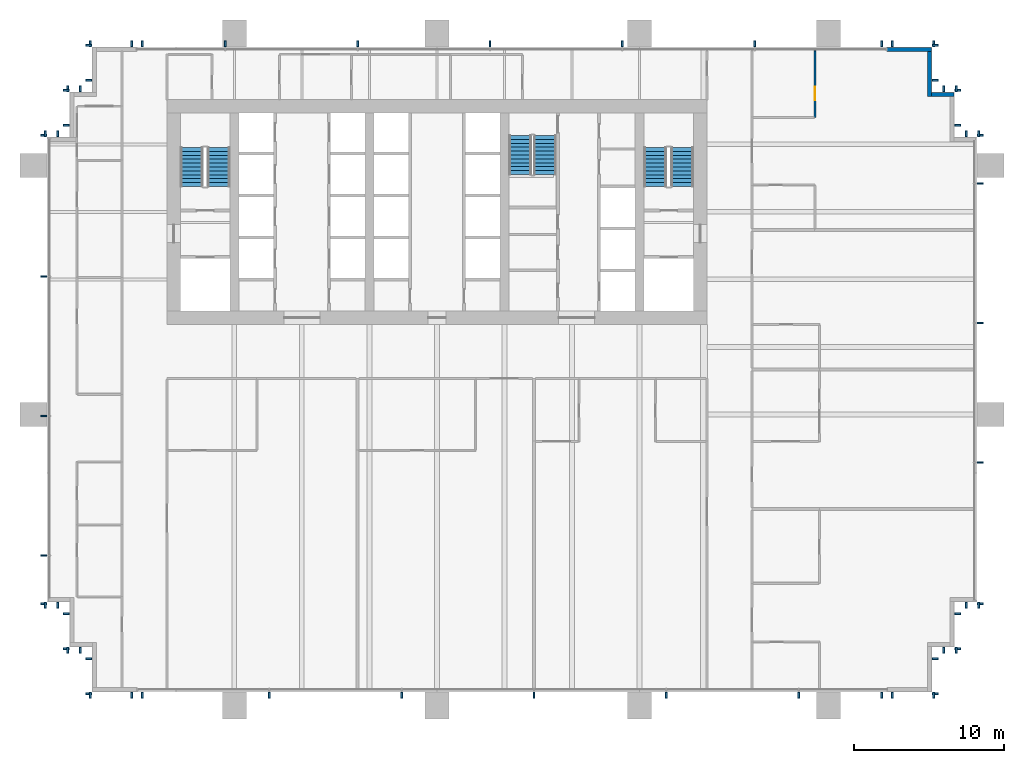
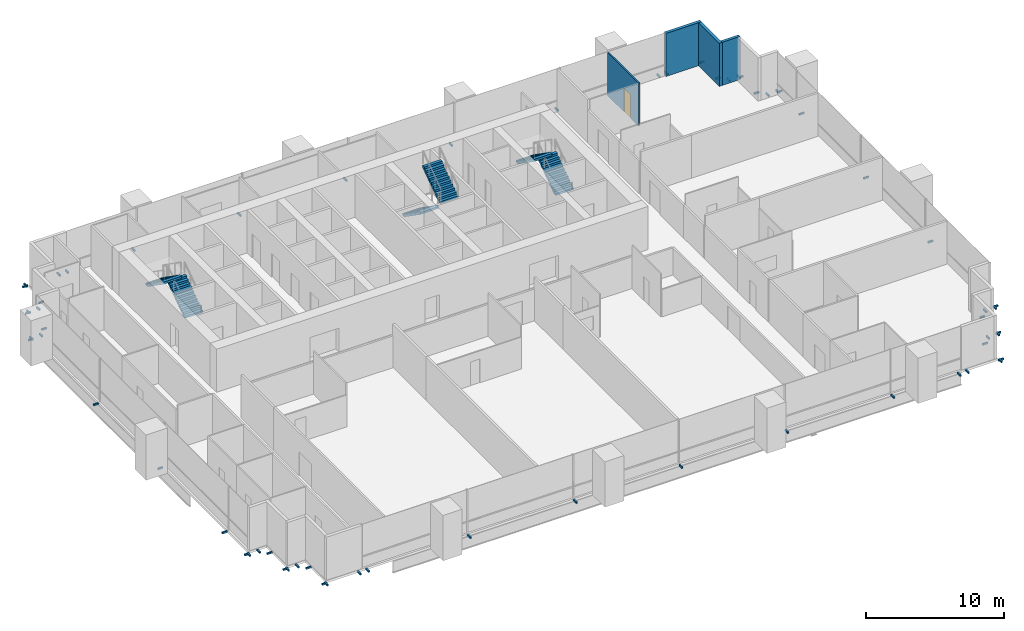
# One storey, part 16 of 17: 64 discrete accessories, 6 stair flights, 4 walls, 1 door, 1 opening, 3 elements without a shape of their own.
"""IFC4 building model written with IfcOpenShell, lengths in metres."""

from ifc_helpers import new_model, si_unit, direction, frame, frame_2d, origin, origin_2d, place, context, subcontext, project, spatial, polyline, rectangle, outline, extrude, material, layer, layer_set, type_object, element, fill, aggregate, save


model = new_model("IFC4")

# Units and contexts
model_context = context("Model", 3, precision=1e-05, world=origin(), true_north=direction((0.0, 1.0)))
body_context = subcontext(model_context, "Body", "Model", "MODEL_VIEW")
ifc_project = project(units=[si_unit("LENGTHUNIT", "METRE"), si_unit("AREAUNIT", "SQUARE_METRE"), si_unit("VOLUMEUNIT", "CUBIC_METRE"), si_unit("PLANEANGLEUNIT", "RADIAN"), si_unit("MASSUNIT", "GRAM", prefix="KILO")], contexts=[model_context])

# Site, building, storey
site_placement = place(None, origin())
site = spatial("IfcSite", under=ifc_project, at=site_placement, CompositionType="ELEMENT")
building_placement = place(site_placement, origin())
building = spatial("IfcBuilding", under=site, at=building_placement, Name="Rattan Terrace Tower", CompositionType="ELEMENT")
storey_placement = place(building_placement, frame((0.0, 0.0, 107.699951171875)))
storey = spatial("IfcBuildingStorey", under=building, at=storey_placement, Name="L24", CompositionType="ELEMENT", Elevation=107.699951171875)

# Walls
ifc_material_1 = material(Name="Insulated aluminium-clad stud wall", Category="aluminium")
ifc_layer_1 = layer(ifc_material_1, 0.25)
ifc_layer_set_1 = layer_set([ifc_layer_1], Name="Facade Riser Wall 250")
wall_type_1 = type_object("IfcWallType", Name="Facade Riser Wall 250", PredefinedType="SOLIDWALL", material=ifc_layer_set_1)
wall_1_placement = place(storey_placement, frame((34.455078125, 7.830078125, 0.0), z_axis=(0.0, 0.0, 1.0), x_axis=(-1.0, 0.0, 0.0)))
element("IfcWall", 1, at=wall_1_placement, inside=storey, type_object=wall_type_1, Name="Riser wall L24-8", PredefinedType="SOLIDWALL", context=body_context, shape_type="SweptSolid", body=[
    extrude(rectangle(XDim=1.5, YDim=0.25, at=frame_2d((0.75, 0.0))), origin(), (0.0, 0.0, 1.0), 3.800048828125),
])
wall_2_placement = place(storey_placement, frame((32.830078125, 7.705078125, 0.0), z_axis=(0.0, 0.0, 1.0), x_axis=(0.0, 1.0, 0.0)))
element("IfcWall", 2, at=wall_2_placement, inside=storey, type_object=wall_type_1, Name="Riser wall L24-9", PredefinedType="SOLIDWALL", context=body_context, shape_type="SweptSolid", body=[
    extrude(rectangle(XDim=3.0, YDim=0.25, at=frame_2d((1.5, 0.0))), origin(), (0.0, 0.0, 1.0), 3.800048828125),
])
wall_3_placement = place(storey_placement, frame((32.955078125, 10.830078125, 0.0), z_axis=(0.0, 0.0, 1.0), x_axis=(-1.0, 0.0, 0.0)))
element("IfcWall", 3, at=wall_3_placement, inside=storey, type_object=wall_type_1, Name="Riser wall L24-10", PredefinedType="SOLIDWALL", context=body_context, shape_type="SweptSolid", body=[
    extrude(rectangle(XDim=2.955078125, YDim=0.25, at=frame_2d((1.4775390625, 0.0))), origin(), (0.0, 0.0, 1.0), 3.800048828125),
])

# Wall, opening, door
ifc_material_2 = material(Name="Moisture resistant gypsum board partition on steel studs with service cavity", Category="steel")
ifc_layer_2 = layer(ifc_material_2, 0.1201171875)
ifc_layer_set_2 = layer_set([ifc_layer_2], Name="Floors Wet Wall 120")
wall_type_2 = type_object("IfcWallType", Name="Floors Wet Wall 120", PredefinedType="PARTITIONING", material=ifc_layer_set_2)
wall_4_placement = place(storey_placement, frame((25.199951171875, 6.300048828125, 0.0), z_axis=(0.0, 0.0, 1.0), x_axis=(0.0, 1.0, 0.0)))
wall_4 = element("IfcWall", 4, at=wall_4_placement, inside=storey, type_object=wall_type_2, Name="pt-L24-061", PredefinedType="PARTITIONING", context=body_context, shape_type="SweptSolid", body=[
    extrude(rectangle(XDim=4.43994140625, YDim=0.1201171875, at=frame_2d((2.219970703125, 0.0))), origin(), (0.0, 0.0, 1.0), 3.800048828125),
])
opening_placement = place(wall_4_placement, frame((1.162109375, 0.0, 0.0)))
opening = element("IfcOpeningElement", 5, at=opening_placement, cuts=wall_4, Name="Opening L24-D115", PredefinedType="OPENING", context=body_context, shape_type="SweptSolid", body=[
    extrude(rectangle(XDim=0.89990234375, YDim=2.10009765625, at=frame_2d((0.449951171875, 1.050048828125))), frame((0.0, 0.070556640625, 0.0), z_axis=(0.0, -1.0, 0.0), x_axis=(1.0, 0.0, 0.0)), (0.0, 0.0, 1.0), 0.14111328125),
])
ifc_material_3 = material(Name="Solid core timber door, painted", Category="wood")
door_type = type_object("IfcDoorType", Name="Floors Door 900x2100", OperationType="NOTDEFINED", PredefinedType="DOOR", material=ifc_material_3)
door_placement = place(opening_placement, origin())
door = element("IfcDoor", 6, at=door_placement, inside=storey, type_object=door_type, Name="d-L24-115", OperationType="SINGLE_SWING_LEFT", OverallHeight=2.10009765625, OverallWidth=0.89990234375, PredefinedType="DOOR", context=body_context, shape_type="SweptSolid", body=[
    extrude(rectangle(XDim=0.89990234375, YDim=2.10009765625, at=frame_2d((0.449951171875, 1.050048828125))), frame((0.0, 0.02490234375, 0.0), z_axis=(0.0, -1.0, 0.0), x_axis=(1.0, 0.0, 0.0)), (0.0, 0.0, 1.0), 0.050048828125),
])
fill(opening, door)

# Stair, stair flights
ifc_material_4 = material(Name="Concrete C40/50", Category="concrete")
stair_type = type_object("IfcStairType", Name="Core exit stair 1500", PredefinedType="HALF_TURN_STAIR", material=ifc_material_4)
stair_1_placement = place(storey_placement, origin())
stair_1 = element("IfcStair", 7, at=stair_1_placement, inside=storey, type_object=stair_type, Name="L24 exit stair 1", PredefinedType="HALF_TURN_STAIR")
ifc_material_5 = material(Name="Concrete C40/50", Category="concrete")
stair_flight_type = type_object("IfcStairFlightType", Name="Core exit stair flight 1500", PredefinedType="STRAIGHT", material=ifc_material_5)
stair_flight_1_placement = place(storey_placement, frame((-14.550048828125, 1.699951171875, 0.0), z_axis=(0.0, 0.0, 1.0), x_axis=(0.0, 1.0, 0.0)))
stair_flight_1 = element("IfcStairFlight", 8, at=stair_flight_1_placement, type_object=stair_flight_type, Name="S1 flight 1", NumberOfRisers=11, NumberOfTreads=10, PredefinedType="STRAIGHT", RiserHeight=0.181818182, TreadLength=0.26, context=body_context, shape_type="SweptSolid", body=[
    extrude(outline(polyline([(0.0, 0.0), (0.0, 0.181884765625), (0.260009765625, 0.181884765625), (0.260009765625, 0.363525390625), (0.52001953125, 0.363525390625), (0.52001953125, 0.54541015625), (0.780029296875, 0.54541015625), (0.780029296875, 0.727294921875), (1.0400390625, 0.727294921875), (1.0400390625, 0.9091796875), (1.300048828125, 0.9091796875), (1.300048828125, 1.0908203125), (1.56005859375, 1.0908203125), (1.56005859375, 1.272705078125), (1.820068359375, 1.272705078125), (1.820068359375, 1.45458984375), (2.080078125, 1.45458984375), (2.080078125, 1.636474609375), (2.340087890625, 1.636474609375), (2.340087890625, 1.818115234375), (2.60009765625, 1.818115234375), (2.60009765625, 2.0), (2.60009765625, 1.63525390625), (0.261474609375, 0.0), (0.0, 0.0)])), frame((0.0, 0.75, 0.0), z_axis=(0.0, -1.0, 0.0), x_axis=(1.0, 0.0, 0.0)), (0.0, 0.0, 1.0), 1.5),
])
stair_flight_2_placement = place(storey_placement, frame((-16.35009765625, 4.300048828125, 2.0), z_axis=(0.0, 0.0, 1.0), x_axis=(0.0, -1.0, 0.0)))
stair_flight_2 = element("IfcStairFlight", 9, at=stair_flight_2_placement, type_object=stair_flight_type, Name="S1 flight 2", NumberOfRisers=11, NumberOfTreads=10, PredefinedType="STRAIGHT", RiserHeight=0.181818182, TreadLength=0.26, context=body_context, shape_type="SweptSolid", body=[
    extrude(outline(polyline([(0.0, 0.0), (0.0, 0.181884765625), (0.260009765625, 0.181884765625), (0.260009765625, 0.363525390625), (0.52001953125, 0.363525390625), (0.52001953125, 0.54541015625), (0.780029296875, 0.54541015625), (0.780029296875, 0.727294921875), (1.0400390625, 0.727294921875), (1.0400390625, 0.9091796875), (1.300048828125, 0.9091796875), (1.300048828125, 1.0908203125), (1.56005859375, 1.0908203125), (1.56005859375, 1.272705078125), (1.820068359375, 1.272705078125), (1.820068359375, 1.45458984375), (2.080078125, 1.45458984375), (2.080078125, 1.636474609375), (2.340087890625, 1.636474609375), (2.340087890625, 1.818115234375), (2.60009765625, 1.818115234375), (2.60009765625, 2.0), (2.60009765625, 1.63525390625), (0.261474609375, 0.0), (0.0, 0.0)])), frame((0.0, 0.75, 0.0), z_axis=(0.0, -1.0, 0.0), x_axis=(1.0, 0.0, 0.0)), (0.0, 0.0, 1.0), 1.5),
])
aggregate(stair_1, [stair_flight_1, stair_flight_2])

stair_2_placement = place(storey_placement, origin())
stair_2 = element("IfcStair", 10, at=stair_2_placement, inside=storey, type_object=stair_type, Name="L24 exit stair 2", PredefinedType="HALF_TURN_STAIR")
stair_flight_3_placement = place(storey_placement, frame((16.35009765625, 1.699951171875, 0.0), z_axis=(0.0, 0.0, 1.0), x_axis=(0.0, 1.0, 0.0)))
stair_flight_3 = element("IfcStairFlight", 11, at=stair_flight_3_placement, type_object=stair_flight_type, Name="S2 flight 1", NumberOfRisers=11, NumberOfTreads=10, PredefinedType="STRAIGHT", RiserHeight=0.181818182, TreadLength=0.26, context=body_context, shape_type="SweptSolid", body=[
    extrude(outline(polyline([(0.0, 0.0), (0.0, 0.181884765625), (0.260009765625, 0.181884765625), (0.260009765625, 0.363525390625), (0.52001953125, 0.363525390625), (0.52001953125, 0.54541015625), (0.780029296875, 0.54541015625), (0.780029296875, 0.727294921875), (1.0400390625, 0.727294921875), (1.0400390625, 0.9091796875), (1.300048828125, 0.9091796875), (1.300048828125, 1.0908203125), (1.56005859375, 1.0908203125), (1.56005859375, 1.272705078125), (1.820068359375, 1.272705078125), (1.820068359375, 1.45458984375), (2.080078125, 1.45458984375), (2.080078125, 1.636474609375), (2.340087890625, 1.636474609375), (2.340087890625, 1.818115234375), (2.60009765625, 1.818115234375), (2.60009765625, 2.0), (2.60009765625, 1.63525390625), (0.261474609375, 0.0), (0.0, 0.0)])), frame((0.0, 0.75, 0.0), z_axis=(0.0, -1.0, 0.0), x_axis=(1.0, 0.0, 0.0)), (0.0, 0.0, 1.0), 1.5),
])
stair_flight_4_placement = place(storey_placement, frame((14.550048828125, 4.300048828125, 2.0), z_axis=(0.0, 0.0, 1.0), x_axis=(0.0, -1.0, 0.0)))
stair_flight_4 = element("IfcStairFlight", 12, at=stair_flight_4_placement, type_object=stair_flight_type, Name="S2 flight 2", NumberOfRisers=11, NumberOfTreads=10, PredefinedType="STRAIGHT", RiserHeight=0.181818182, TreadLength=0.26, context=body_context, shape_type="SweptSolid", body=[
    extrude(outline(polyline([(0.0, 0.0), (0.0, 0.181884765625), (0.260009765625, 0.181884765625), (0.260009765625, 0.363525390625), (0.52001953125, 0.363525390625), (0.52001953125, 0.54541015625), (0.780029296875, 0.54541015625), (0.780029296875, 0.727294921875), (1.0400390625, 0.727294921875), (1.0400390625, 0.9091796875), (1.300048828125, 0.9091796875), (1.300048828125, 1.0908203125), (1.56005859375, 1.0908203125), (1.56005859375, 1.272705078125), (1.820068359375, 1.272705078125), (1.820068359375, 1.45458984375), (2.080078125, 1.45458984375), (2.080078125, 1.636474609375), (2.340087890625, 1.636474609375), (2.340087890625, 1.818115234375), (2.60009765625, 1.818115234375), (2.60009765625, 2.0), (2.60009765625, 1.63525390625), (0.261474609375, 0.0), (0.0, 0.0)])), frame((0.0, 0.75, 0.0), z_axis=(0.0, -1.0, 0.0), x_axis=(1.0, 0.0, 0.0)), (0.0, 0.0, 1.0), 1.5),
])
aggregate(stair_2, [stair_flight_3, stair_flight_4])

stair_3_placement = place(storey_placement, origin())
stair_3 = element("IfcStair", 13, at=stair_3_placement, inside=storey, type_object=stair_type, Name="L24 exit stair 3", PredefinedType="HALF_TURN_STAIR")
stair_flight_5_placement = place(storey_placement, frame((5.550048828125, 5.10009765625, 0.0), z_axis=(0.0, 0.0, 1.0), x_axis=(0.0, -1.0, 0.0)))
stair_flight_5 = element("IfcStairFlight", 14, at=stair_flight_5_placement, type_object=stair_flight_type, Name="S3 flight 1", NumberOfRisers=11, NumberOfTreads=10, PredefinedType="STRAIGHT", RiserHeight=0.181818182, TreadLength=0.26, context=body_context, shape_type="SweptSolid", body=[
    extrude(outline(polyline([(0.0, 0.0), (0.0, 0.181884765625), (0.260009765625, 0.181884765625), (0.260009765625, 0.363525390625), (0.52001953125, 0.363525390625), (0.52001953125, 0.54541015625), (0.780029296875, 0.54541015625), (0.780029296875, 0.727294921875), (1.0400390625, 0.727294921875), (1.0400390625, 0.9091796875), (1.300048828125, 0.9091796875), (1.300048828125, 1.0908203125), (1.56005859375, 1.0908203125), (1.56005859375, 1.272705078125), (1.820068359375, 1.272705078125), (1.820068359375, 1.45458984375), (2.080078125, 1.45458984375), (2.080078125, 1.636474609375), (2.340087890625, 1.636474609375), (2.340087890625, 1.818115234375), (2.60009765625, 1.818115234375), (2.60009765625, 2.0), (2.60009765625, 1.63525390625), (0.261474609375, 0.0), (0.0, 0.0)])), frame((0.0, 0.75, 0.0), z_axis=(0.0, -1.0, 0.0), x_axis=(1.0, 0.0, 0.0)), (0.0, 0.0, 1.0), 1.5),
])
stair_flight_6_placement = place(storey_placement, frame((7.199951171875, 2.5, 2.0), z_axis=(0.0, 0.0, 1.0), x_axis=(0.0, 1.0, 0.0)))
stair_flight_6 = element("IfcStairFlight", 15, at=stair_flight_6_placement, type_object=stair_flight_type, Name="S3 flight 2", NumberOfRisers=11, NumberOfTreads=10, PredefinedType="STRAIGHT", RiserHeight=0.181818182, TreadLength=0.26, context=body_context, shape_type="SweptSolid", body=[
    extrude(outline(polyline([(0.0, 0.0), (0.0, 0.181884765625), (0.260009765625, 0.181884765625), (0.260009765625, 0.363525390625), (0.52001953125, 0.363525390625), (0.52001953125, 0.54541015625), (0.780029296875, 0.54541015625), (0.780029296875, 0.727294921875), (1.0400390625, 0.727294921875), (1.0400390625, 0.9091796875), (1.300048828125, 0.9091796875), (1.300048828125, 1.0908203125), (1.56005859375, 1.0908203125), (1.56005859375, 1.272705078125), (1.820068359375, 1.272705078125), (1.820068359375, 1.45458984375), (2.080078125, 1.45458984375), (2.080078125, 1.636474609375), (2.340087890625, 1.636474609375), (2.340087890625, 1.818115234375), (2.60009765625, 1.818115234375), (2.60009765625, 2.0), (2.60009765625, 1.63525390625), (0.261474609375, 0.0), (0.0, 0.0)])), frame((0.0, 0.75, 0.0), z_axis=(0.0, -1.0, 0.0), x_axis=(1.0, 0.0, 0.0)), (0.0, 0.0, 1.0), 1.5),
])
aggregate(stair_3, [stair_flight_5, stair_flight_6])

# Discrete accessories
for number, where, z_axis, x_axis, name in (
    (16, (30.340087890625, -32.2099609375, -0.169921875), (0.0, 0.0, 1.0), (1.0, 0.0, 0.0), "Panel bracket L24-1"),
    (17, (33.110107421875, -32.2099609375, -0.169921875), (0.0, 0.0, 1.0), (1.0, 0.0, 0.0), "Panel bracket L24-2"),
    (18, (33.2099609375, -32.110107421875, -0.169921875), (0.0, 0.0, 1.0), (0.0, 1.0, 0.0), "Panel bracket L24-3"),
    (19, (33.2099609375, -29.7900390625, -0.169921875), (0.0, 0.0, 1.0), (0.0, 1.0, 0.0), "Panel bracket L24-4"),
    (20, (33.7900390625, -29.2099609375, -0.169921875), (0.0, 0.0, 1.0), (1.0, 0.0, 0.0), "Panel bracket L24-5"),
    (21, (34.610107421875, -29.2099609375, -0.169921875), (0.0, 0.0, 1.0), (1.0, 0.0, 0.0), "Panel bracket L24-6"),
    (22, (34.7099609375, -29.110107421875, -0.169921875), (0.0, 0.0, 1.0), (0.0, 1.0, 0.0), "Panel bracket L24-7"),
    (23, (34.7099609375, -26.7900390625, -0.169921875), (0.0, 0.0, 1.0), (0.0, 1.0, 0.0), "Panel bracket L24-8"),
    (24, (35.2900390625, -26.2099609375, -0.169921875), (0.0, 0.0, 1.0), (1.0, 0.0, 0.0), "Panel bracket L24-9"),
    (25, (36.110107421875, -26.2099609375, -0.169921875), (0.0, 0.0, 1.0), (1.0, 0.0, 0.0), "Panel bracket L24-10"),
    (26, (36.2099609375, -26.110107421875, -0.169921875), (0.0, 0.0, 1.0), (0.0, 1.0, 0.0), "Panel bracket L24-11"),
    (27, (36.2099609375, -16.699951171875, -0.169921875), (0.0, 0.0, 1.0), (0.0, 1.0, 0.0), "Panel bracket L24-12"),
    (28, (36.2099609375, -7.39990234375, -0.169921875), (0.0, 0.0, 1.0), (0.0, 1.0, 0.0), "Panel bracket L24-13"),
    (29, (36.2099609375, 1.89990234375, -0.169921875), (0.0, 0.0, 1.0), (0.0, 1.0, 0.0), "Panel bracket L24-14"),
    (30, (36.2099609375, 5.110107421875, -0.169921875), (0.0, 0.0, 1.0), (0.0, 1.0, 0.0), "Panel bracket L24-15"),
    (31, (36.110107421875, 5.2099609375, -0.169921875), (0.0, 0.0, 1.0), (-1.0, 0.0, 0.0), "Panel bracket L24-16"),
    (32, (35.2900390625, 5.2099609375, -0.169921875), (0.0, 0.0, 1.0), (-1.0, 0.0, 0.0), "Panel bracket L24-17"),
    (33, (34.7099609375, 5.7900390625, -0.169921875), (0.0, 0.0, 1.0), (0.0, 1.0, 0.0), "Panel bracket L24-18"),
    (34, (34.7099609375, 8.110107421875, -0.169921875), (0.0, 0.0, 1.0), (0.0, 1.0, 0.0), "Panel bracket L24-19"),
    (35, (34.610107421875, 8.2099609375, -0.169921875), (0.0, 0.0, 1.0), (-1.0, 0.0, 0.0), "Panel bracket L24-20"),
    (36, (33.7900390625, 8.2099609375, -0.169921875), (0.0, 0.0, 1.0), (-1.0, 0.0, 0.0), "Panel bracket L24-21"),
    (37, (33.2099609375, 8.7900390625, -0.169921875), (0.0, 0.0, 1.0), (0.0, 1.0, 0.0), "Panel bracket L24-22"),
    (38, (33.2099609375, 11.110107421875, -0.169921875), (0.0, 0.0, 1.0), (0.0, 1.0, 0.0), "Panel bracket L24-23"),
    (39, (33.110107421875, 11.2099609375, -0.169921875), (0.0, 0.0, 1.0), (-1.0, 0.0, 0.0), "Panel bracket L24-24"),
    (40, (30.340087890625, 11.2099609375, -0.169921875), (0.0, 0.0, 1.0), (-1.0, 0.0, 0.0), "Panel bracket L24-25"),
    (41, (29.659912109375, 11.2099609375, -0.169921875), (0.0, 0.0, 1.0), (-1.0, 0.0, 0.0), "Panel bracket L24-26"),
    (42, (21.177001953125, 11.2099609375, -0.169921875), (0.0, 0.0, 1.0), (-1.0, 0.0, 0.0), "Panel bracket L24-27"),
    (43, (12.35400390625, 11.2099609375, -0.169921875), (0.0, 0.0, 1.0), (-1.0, 0.0, 0.0), "Panel bracket L24-28"),
    (44, (3.531005859375, 11.2099609375, -0.169921875), (0.0, 0.0, 1.0), (-1.0, 0.0, 0.0), "Panel bracket L24-29"),
    (45, (-5.2919921875, 11.2099609375, -0.169921875), (0.0, 0.0, 1.0), (-1.0, 0.0, 0.0), "Panel bracket L24-30"),
    (46, (-14.114990234375, 11.2099609375, -0.169921875), (0.0, 0.0, 1.0), (-1.0, 0.0, 0.0), "Panel bracket L24-31"),
    (47, (-19.659912109375, 11.2099609375, -0.169921875), (0.0, 0.0, 1.0), (-1.0, 0.0, 0.0), "Panel bracket L24-32"),
    (48, (-20.340087890625, 11.2099609375, -0.169921875), (0.0, 0.0, 1.0), (-1.0, 0.0, 0.0), "Panel bracket L24-33"),
    (49, (-23.110107421875, 11.2099609375, -0.169921875), (0.0, 0.0, 1.0), (-1.0, 0.0, 0.0), "Panel bracket L24-34"),
    (50, (-23.2099609375, 11.110107421875, -0.169921875), (0.0, 0.0, 1.0), (0.0, -1.0, 0.0), "Panel bracket L24-35"),
    (51, (-23.2099609375, 8.7900390625, -0.169921875), (0.0, 0.0, 1.0), (0.0, -1.0, 0.0), "Panel bracket L24-36"),
    (52, (-23.7900390625, 8.2099609375, -0.169921875), (0.0, 0.0, 1.0), (-1.0, 0.0, 0.0), "Panel bracket L24-37"),
    (53, (-24.610107421875, 8.2099609375, -0.169921875), (0.0, 0.0, 1.0), (-1.0, 0.0, 0.0), "Panel bracket L24-38"),
    (54, (-24.7099609375, 8.110107421875, -0.169921875), (0.0, 0.0, 1.0), (0.0, -1.0, 0.0), "Panel bracket L24-39"),
    (55, (-24.7099609375, 5.7900390625, -0.169921875), (0.0, 0.0, 1.0), (0.0, -1.0, 0.0), "Panel bracket L24-40"),
    (56, (-25.2900390625, 5.2099609375, -0.169921875), (0.0, 0.0, 1.0), (-1.0, 0.0, 0.0), "Panel bracket L24-41"),
    (57, (-26.110107421875, 5.2099609375, -0.169921875), (0.0, 0.0, 1.0), (-1.0, 0.0, 0.0), "Panel bracket L24-42"),
    (58, (-26.2099609375, 5.110107421875, -0.169921875), (0.0, 0.0, 1.0), (0.0, -1.0, 0.0), "Panel bracket L24-43"),
    (59, (-26.2099609375, -4.300048828125, -0.169921875), (0.0, 0.0, 1.0), (0.0, -1.0, 0.0), "Panel bracket L24-44"),
    (60, (-26.2099609375, -13.60009765625, -0.169921875), (0.0, 0.0, 1.0), (0.0, -1.0, 0.0), "Panel bracket L24-45"),
    (61, (-26.2099609375, -22.89990234375, -0.169921875), (0.0, 0.0, 1.0), (0.0, -1.0, 0.0), "Panel bracket L24-46"),
    (62, (-26.2099609375, -26.110107421875, -0.169921875), (0.0, 0.0, 1.0), (0.0, -1.0, 0.0), "Panel bracket L24-47"),
    (63, (-26.110107421875, -26.2099609375, -0.169921875), (0.0, 0.0, 1.0), (1.0, 0.0, 0.0), "Panel bracket L24-48"),
    (64, (-25.2900390625, -26.2099609375, -0.169921875), (0.0, 0.0, 1.0), (1.0, 0.0, 0.0), "Panel bracket L24-49"),
    (65, (-24.7099609375, -26.7900390625, -0.169921875), (0.0, 0.0, 1.0), (0.0, -1.0, 0.0), "Panel bracket L24-50"),
    (66, (-24.7099609375, -29.110107421875, -0.169921875), (0.0, 0.0, 1.0), (0.0, -1.0, 0.0), "Panel bracket L24-51"),
    (67, (-24.610107421875, -29.2099609375, -0.169921875), (0.0, 0.0, 1.0), (1.0, 0.0, 0.0), "Panel bracket L24-52"),
    (68, (-23.7900390625, -29.2099609375, -0.169921875), (0.0, 0.0, 1.0), (1.0, 0.0, 0.0), "Panel bracket L24-53"),
    (69, (-23.2099609375, -29.7900390625, -0.169921875), (0.0, 0.0, 1.0), (0.0, -1.0, 0.0), "Panel bracket L24-54"),
    (70, (-23.2099609375, -32.110107421875, -0.169921875), (0.0, 0.0, 1.0), (0.0, -1.0, 0.0), "Panel bracket L24-55"),
    (71, (-23.110107421875, -32.2099609375, -0.169921875), (0.0, 0.0, 1.0), (1.0, 0.0, 0.0), "Panel bracket L24-56"),
    (72, (-20.340087890625, -32.2099609375, -0.169921875), (0.0, 0.0, 1.0), (1.0, 0.0, 0.0), "Panel bracket L24-57"),
    (73, (-19.659912109375, -32.2099609375, -0.169921875), (0.0, 0.0, 1.0), (1.0, 0.0, 0.0), "Panel bracket L24-58"),
    (74, (-11.177001953125, -32.2099609375, -0.169921875), (0.0, 0.0, 1.0), (1.0, 0.0, 0.0), "Panel bracket L24-59"),
    (75, (-2.35400390625, -32.2099609375, -0.169921875), (0.0, 0.0, 1.0), (1.0, 0.0, 0.0), "Panel bracket L24-60"),
    (76, (6.468994140625, -32.2099609375, -0.169921875), (0.0, 0.0, 1.0), (1.0, 0.0, 0.0), "Panel bracket L24-61"),
    (77, (15.2919921875, -32.2099609375, -0.169921875), (0.0, 0.0, 1.0), (1.0, 0.0, 0.0), "Panel bracket L24-62"),
    (78, (24.114990234375, -32.2099609375, -0.169921875), (0.0, 0.0, 1.0), (1.0, 0.0, 0.0), "Panel bracket L24-63"),
    (79, (29.659912109375, -32.2099609375, -0.169921875), (0.0, 0.0, 1.0), (1.0, 0.0, 0.0), "Panel bracket L24-64"),
):
    element("IfcDiscreteAccessory", number, at=place(storey_placement, frame(where, z_axis=z_axis, x_axis=x_axis)), inside=storey, Name=name, PredefinedType="BRACKET", context=body_context, shape_type="SweptSolid", body=[
        extrude(rectangle(XDim=0.1201171875, YDim=0.419921875, at=origin_2d()), origin(), (0.0, 0.0, 1.0), 0.139892578125),
    ])

save(model, "model.ifc")
